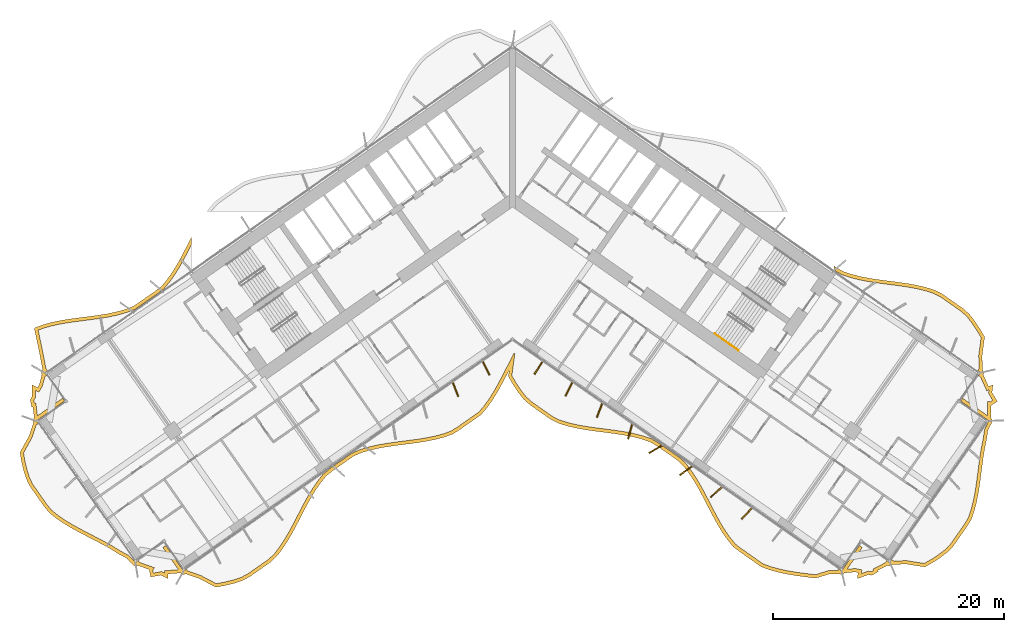
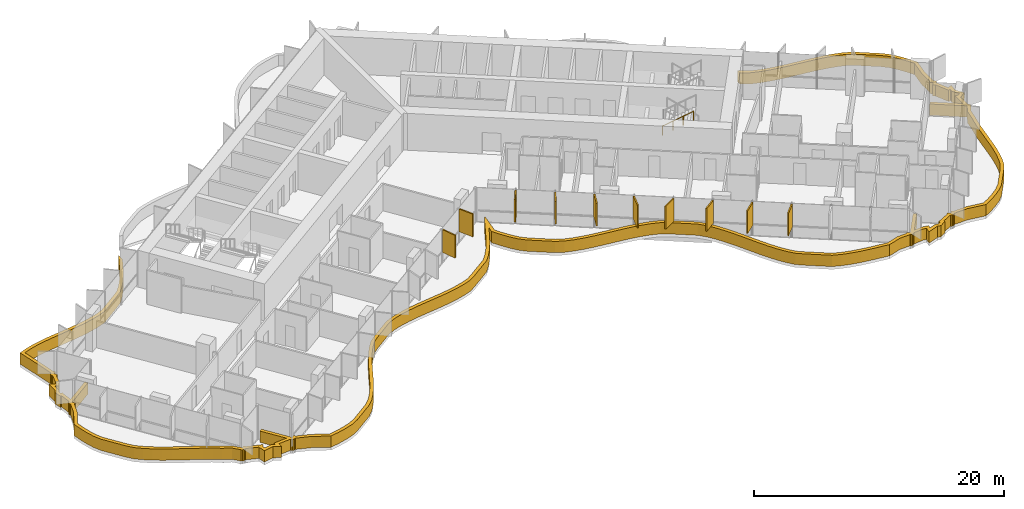
# One storey, part 20 of 23: 11 shading devices, 1 railing.
"""IFC4 building model written with IfcOpenShell, lengths in metres."""

from ifc_helpers import new_model, si_unit, direction, frame, origin, origin_2d, place, context, subcontext, project, spatial, polyline, rectangle, circle, outline, extrude, material, layer, layer_set, type_object, element, save


model = new_model("IFC4")

# Units and contexts
model_context = context("Model", 3, precision=1e-05, world=origin(), true_north=direction((0.0, 1.0)))
body_context = subcontext(model_context, "Body", "Model", "MODEL_VIEW")
ifc_project = project(units=[si_unit("LENGTHUNIT", "METRE"), si_unit("AREAUNIT", "SQUARE_METRE"), si_unit("VOLUMEUNIT", "CUBIC_METRE"), si_unit("PLANEANGLEUNIT", "RADIAN"), si_unit("MASSUNIT", "GRAM", prefix="KILO")], contexts=[model_context])

# Site, building, storey
site_placement = place(None, origin())
site = spatial("IfcSite", under=ifc_project, at=site_placement, CompositionType="ELEMENT")
building_placement = place(site_placement, origin())
building = spatial("IfcBuilding", under=site, at=building_placement, Name="Tel Ilan Convention Tower", CompositionType="ELEMENT")
storey_placement = place(building_placement, frame((0.0, 0.0, 119.300048828125)))
storey = spatial("IfcBuildingStorey", under=building, at=storey_placement, Name="L26", CompositionType="ELEMENT", Elevation=119.300048828125)

# Shading devices
ifc_material_1 = material(Name="Aluminium, bronze anodised", Category="aluminium")
ifc_layer_1 = layer(ifc_material_1, 0.1201171875)
ifc_layer_set_1 = layer_set([ifc_layer_1], Name="FIN BRONZE 1300x120")
shading_device_type_1 = type_object("IfcShadingDeviceType", Name="FIN BRONZE 1300x120", PredefinedType="USERDEFINED", material=ifc_layer_set_1)
for number, where, z_axis, x_axis, name in (
    (1, (-4.947998046875, -17.070068359375, 1.10009765625), (0.0, 0.0, 1.0), (0.360177724803, -0.932883704733, 0.0), "FIN"),
    (2, (-2.298583984375, -15.222900390625, 1.10009765625), (0.0, 0.0, 1.0), (0.448799180206, -0.893632640321, 0.0), "FIN"),
    (3, (2.2470703125, -15.18701171875, 1.10009765625), (0.0, 0.0, 1.0), (-0.533204432798, -0.845986425922, 0.0), "FIN"),
    (4, (4.893798828125, -17.039794921875, 1.10009765625), (0.0, 0.0, 1.0), (-0.448799180206, -0.893632640321, 0.0), "FIN"),
    (5, (7.543212890625, -18.88720703125, 1.10009765625), (0.0, 0.0, 1.0), (-0.360177724803, -0.932883704733, 0.0), "FIN"),
    (6, (10.19482421875, -20.728515625, 1.10009765625), (0.0, 0.0, 1.0), (-0.268172612768, -0.963370878614, 0.0), "FIN"),
    (7, (12.398193359375, -22.248779296875, 1.10009765625), (0.0, 0.0, 1.0), (-0.866025403784, -0.5, 0.0), "FIN"),
    (8, (15.0302734375, -24.114501953125, 1.10009765625), (0.0, 0.0, 1.0), (-0.813552070258, -0.581492071294, 0.0), "FIN"),
    (9, (17.667724609375, -25.9765625, 1.10009765625), (0.0, 0.0, 1.0), (-0.753435896329, -0.657521368568, 0.0), "FIN"),
    (10, (20.309814453125, -27.834228515625, 1.10009765625), (0.0, 0.0, 1.0), (-0.686241637865, -0.727373641577, 0.0), "FIN"),
):
    element("IfcShadingDevice", number, at=place(storey_placement, frame(where, z_axis=z_axis, x_axis=x_axis)), inside=storey, type_object=shading_device_type_1, Name=name, ObjectType="FIN", PredefinedType="USERDEFINED", context=body_context, shape_type="SweptSolid", body=[
        extrude(rectangle(XDim=1.300048828125, YDim=0.1201171875, at=origin_2d()), origin(), (0.0, 0.0, 1.0), 2.219970703125),
    ])
ifc_material_2 = material(Name="Aluminium, bronze anodised", Category="aluminium")
ifc_layer_2 = layer(ifc_material_2, 0.300048828125)
ifc_layer_set_2 = layer_set([ifc_layer_2], Name="LOUVRE BAND 300x1100")
shading_device_type_2 = type_object("IfcShadingDeviceType", Name="LOUVRE BAND 300x1100", PredefinedType="USERDEFINED", material=ifc_layer_set_2)
shading_device_placement = place(storey_placement, origin())
element("IfcShadingDevice", 11, at=shading_device_placement, inside=storey, type_object=shading_device_type_2, Name="LOUVRE BAND 20.01", ObjectType="LOUVRE", PredefinedType="USERDEFINED", context=body_context, shape_type="SweptSolid", body=[
    extrude(outline(polyline([(-41.95263671875, -21.091796875), (-42.734619140625, -22.51123046875), (-42.607421875, -23.294189453125), (-42.430908203125, -24.04248046875), (-42.208740234375, -24.7587890625), (-41.900146484375, -25.414794921875), (-40.671142578125, -27.170166015625), (-40.220458984375, -27.726806640625), (-39.64404296875, -28.195068359375), (-39.018310546875, -28.62890625), (-38.352294921875, -29.03466796875), (-37.656982421875, -29.419677734375), (-35.51513671875, -30.535888671875), (-34.82470703125, -30.92431640625), (-34.16357421875, -31.33349609375), (-33.458251953125, -31.711669921875), (-32.969482421875, -32.241455078125), (-32.96484375, -32.238037109375), (-32.93603515625, -32.281494140625), (-32.838623046875, -32.346435546875), (-32.723876953125, -32.369384765625), (-32.609130859375, -32.346435546875), (-32.554931640625, -32.310302734375), (-31.51708984375, -32.678955078125), (-31.52783203125, -32.69677734375), (-31.39501953125, -33.33642578125), (-30.5068359375, -33.168701171875), (-29.9072265625, -33.476806640625), (-29.906005859375, -33.06201171875), (-28.786865234375, -32.974853515625), (-28.7578125, -33.01806640625), (-28.660400390625, -33.083251953125), (-28.545654296875, -33.10595703125), (-28.430908203125, -33.083251953125), (-28.376953125, -33.047119140625), (-27.177490234375, -33.46728515625), (-25.748291015625, -34.2158203125), (-24.94677734375, -34.067626953125), (-24.174072265625, -33.878662109375), (-23.436767578125, -33.63916015625), (-22.779296875, -33.28515625), (-20.957275390625, -32.009521484375), (-20.41845703125, -31.486083984375), (-19.947509765625, -30.8662109375), (-19.5107421875, -30.197265625), (-19.1005859375, -29.490234375), (-18.708740234375, -28.75732421875), (-17.939697265625, -27.270263671875), (-17.54296875, -26.544189453125), (-17.125, -25.848388671875), (-16.677734375, -25.1943359375), (-16.19384765625, -24.5927734375), (-15.619140625, -24.12109375), (-13.797119140625, -22.84521484375), (-13.101318359375, -22.546142578125), (-12.351806640625, -22.323974609375), (-11.56884765625, -22.1494140625), (-10.760498046875, -22.01123046875), (-9.935791015625, -21.896484375), (-8.276123046875, -21.681396484375), (-7.4609375, -21.552734375), (-6.66845703125, -21.39208984375), (-5.906494140625, -21.1875), (-5.18212890625, -20.92919921875), (-4.55859375, -20.527099609375), (-2.736572265625, -19.251220703125), (-2.23828125, -18.669921875), (-1.779296875, -18.032958984375), (-1.352294921875, -17.350341796875), (-0.94921875, -16.63330078125), (-0.29345703125, -15.373291015625), (-0.367919921875, -15.928955078125), (0.045166015625, -16.631591796875), (0.487060546875, -17.29296875), (0.964599609375, -17.90380859375), (1.52197265625, -18.400634765625), (3.343994140625, -19.676513671875), (4.02001953125, -20.003662109375), (4.763427734375, -20.234375), (5.54150390625, -20.416015625), (6.34619140625, -20.559326171875), (7.1689453125, -20.67724609375), (8.829345703125, -20.89111328125), (9.647216796875, -21.015625), (10.444091796875, -21.17041015625), (11.211669921875, -21.366943359375), (11.9423828125, -21.61572265625), (12.582275390625, -21.99462890625), (14.404541015625, -23.2705078125), (14.92333984375, -23.822021484375), (15.388427734375, -24.450439453125), (15.8203125, -25.12646484375), (16.2265625, -25.8388671875), (16.61669921875, -26.574462890625), (17.38623046875, -28.060546875), (17.785888671875, -28.782470703125), (18.2080078125, -29.47216796875), (18.660888671875, -30.1181640625), (19.1513671875, -30.71044921875), (19.742431640625, -31.158935546875), (21.564697265625, -32.4345703125), (22.281005859375, -32.7041015625), (23.03662109375, -32.917724609375), (23.824462890625, -33.08544921875), (24.635986328125, -33.218994140625), (26.29443359375, -33.435546875), (27.448974609375, -33.079345703125), (28.376953125, -33.047119140625), (28.430908203125, -33.083251953125), (28.545654296875, -33.10595703125), (28.660400390625, -33.083251953125), (28.7578125, -33.01806640625), (28.786865234375, -32.974853515625), (29.716796875, -32.8935546875), (29.97412109375, -32.9453125), (29.9072265625, -33.476806640625), (30.8779296875, -33.126708984375), (31.183837890625, -33.188232421875), (31.7392578125, -32.8447265625), (31.685546875, -32.75439453125), (32.554931640625, -32.310302734375), (32.609130859375, -32.346435546875), (32.723876953125, -32.369384765625), (32.838623046875, -32.346435546875), (32.93603515625, -32.281494140625), (32.96484375, -32.238037109375), (34.16845703125, -32.208740234375), (35.769775390625, -32.4580078125), (36.4619140625, -32.07080078125), (37.104736328125, -31.64892578125), (37.701904296875, -31.195068359375), (38.212890625, -30.680908203125), (39.44189453125, -28.925537109375), (39.810791015625, -28.311767578125), (40.0537109375, -27.60986328125), (40.247314453125, -26.87353515625), (40.40087890625, -26.109130859375), (40.52490234375, -25.323974609375), (40.841064453125, -22.929443359375), (40.969970703125, -22.147705078125), (41.12841796875, -21.386474609375), (41.24267578125, -20.594482421875), (41.5732421875, -19.9541015625), (41.568603515625, -19.950927734375), (41.604736328125, -19.896728515625), (41.62744140625, -19.781982421875), (41.604736328125, -19.667236328125), (41.53955078125, -19.56982421875), (41.496337890625, -19.541015625), (41.487548828125, -18.439453125), (41.508056640625, -18.443603515625), (42.063720703125, -18.10009765625), (41.602294921875, -17.322509765625), (41.686767578125, -16.65380859375), (41.29638671875, -16.79443359375), (40.831787109375, -15.772705078125), (40.867919921875, -15.71875), (40.890869140625, -15.603759765625), (40.867919921875, -15.489013671875), (40.802978515625, -15.3916015625), (40.759521484375, -15.36279296875), (40.743408203125, -14.096435546875), (40.96044921875, -12.496826171875), (40.548828125, -11.795654296875), (40.108154296875, -11.13525390625), (39.63232421875, -10.525390625), (39.078125, -10.02783203125), (37.260498046875, -8.755126953125), (36.5888671875, -8.4248046875), (35.84814453125, -8.193115234375), (35.072998046875, -8.0107421875), (34.27099609375, -7.86669921875), (33.450927734375, -7.748779296875), (31.79443359375, -7.535400390625), (30.97802734375, -7.412109375), (30.181884765625, -7.259521484375), (29.414794921875, -7.0654296875), (28.68408203125, -6.820068359375), (28.040283203125, -6.44970703125), (27.874755859375, -6.333740234375), (27.874755859375, -6.70068359375), (28.560302734375, -7.094970703125), (29.330322265625, -7.353515625), (30.116943359375, -7.552490234375), (30.92724609375, -7.707763671875), (31.752685546875, -7.83251953125), (33.41064453125, -8.0458984375), (34.22314453125, -8.162841796875), (35.01220703125, -8.3046875), (35.76904296875, -8.482666015625), (36.477294921875, -8.7041015625), (37.107421875, -9.01416015625), (38.89111328125, -10.26318359375), (39.412109375, -10.73095703125), (39.86474609375, -11.31103515625), (40.29443359375, -11.954833984375), (40.649169921875, -12.559326171875), (40.443115234375, -14.07861328125), (40.46142578125, -15.265625), (40.344970703125, -15.431640625), (40.5908203125, -15.603759765625), (40.41943359375, -15.85009765625), (40.596923828125, -15.974365234375), (41.13720703125, -17.1708984375), (41.327880859375, -17.10205078125), (41.291748046875, -17.38720703125), (41.6552734375, -17.999755859375), (41.451171875, -18.1259765625), (41.18359375, -18.072265625), (41.197265625, -19.324462890625), (39.0419921875, -17.8154296875), (38.8701171875, -18.061279296875), (41.327392578125, -19.781982421875), (41.155517578125, -20.02783203125), (41.186279296875, -20.04931640625), (40.952880859375, -20.501708984375), (40.832763671875, -21.33447265625), (40.675048828125, -22.0927734375), (40.54443359375, -22.884521484375), (40.22802734375, -25.28076171875), (40.10546875, -26.05615234375), (39.955078125, -26.8056640625), (39.766357421875, -27.5224609375), (39.53759765625, -28.18408203125), (39.190185546875, -28.761962890625), (37.98193359375, -30.48779296875), (37.50390625, -30.96875), (36.931640625, -31.40380859375), (36.30615234375, -31.814208984375), (35.713623046875, -32.145751953125), (34.1875, -31.908203125), (33.060546875, -31.938720703125), (32.89599609375, -31.823486328125), (32.723876953125, -32.0693359375), (32.4775390625, -31.89794921875), (32.34912109375, -32.08154296875), (31.26416015625, -32.6318359375), (31.3310546875, -32.74462890625), (31.126708984375, -32.870849609375), (30.854736328125, -32.816162109375), (30.26611328125, -33.028564453125), (30.306884765625, -32.7060546875), (29.73291015625, -32.5908203125), (29.016845703125, -32.65625), (30.340087890625, -30.766357421875), (30.09423828125, -30.59423828125), (28.545654296875, -32.805908203125), (28.2998046875, -32.634033203125), (28.214111328125, -32.75634765625), (27.3994140625, -32.78076171875), (26.267822265625, -33.1298828125), (24.6806640625, -32.922119140625), (23.8798828125, -32.79052734375), (23.10888671875, -32.626220703125), (22.374755859375, -32.4189453125), (21.70556640625, -32.167236328125), (19.919189453125, -30.91650390625), (19.3603515625, -30.492431640625), (18.899658203125, -29.936279296875), (18.459228515625, -29.3076171875), (18.04541015625, -28.63134765625), (17.650634765625, -27.91845703125), (16.882568359375, -26.435791015625), (16.489501953125, -25.694091796875), (16.0771484375, -24.97119140625), (15.6357421875, -24.2802734375), (15.154052734375, -23.629150390625), (14.601806640625, -23.04248046875), (12.7451171875, -21.742431640625), (12.068603515625, -21.341796875), (11.29736328125, -21.0791015625), (10.510009765625, -20.87744140625), (9.698486328125, -20.719970703125), (8.871337890625, -20.593994140625), (7.209228515625, -20.3798828125), (6.393798828125, -20.26318359375), (5.60205078125, -20.1220703125), (4.84228515625, -19.94482421875), (4.13037109375, -19.723876953125), (3.496337890625, -19.4169921875), (1.70849609375, -18.1650390625), (1.184326171875, -17.697998046875), (0.73046875, -17.1171875), (0.299560546875, -16.471923828125), (-0.056884765625, -15.8662109375), (0.199462890625, -13.955810546875), (0.11083984375, -13.927978515625), (-0.8271484375, -15.756591796875), (-1.212890625, -16.489990234375), (-1.6103515625, -17.197265625), (-2.0283203125, -17.86572265625), (-2.474365234375, -18.484375), (-2.939697265625, -19.027099609375), (-4.72607421875, -20.278076171875), (-5.315673828125, -20.658203125), (-5.995849609375, -20.90087890625), (-6.737060546875, -21.099853515625), (-7.51416015625, -21.25732421875), (-8.319091796875, -21.384521484375), (-9.97509765625, -21.59912109375), (-10.806396484375, -21.71484375), (-11.626708984375, -21.85498046875), (-12.427001953125, -22.033447265625), (-13.20361328125, -22.263427734375), (-13.94384765625, -22.581787109375), (-15.800537109375, -23.8818359375), (-16.408203125, -24.380615234375), (-16.9189453125, -25.015380859375), (-17.377685546875, -25.686279296875), (-17.80322265625, -26.39501953125), (-18.20458984375, -27.129150390625), (-18.974365234375, -28.617919921875), (-19.36279296875, -29.34423828125), (-19.76611328125, -30.0400390625), (-20.192626953125, -30.693359375), (-20.643798828125, -31.28662109375), (-21.14892578125, -31.777587890625), (-22.93701171875, -33.029296875), (-23.55517578125, -33.362060546875), (-24.256103515625, -33.590087890625), (-25.009765625, -33.7744140625), (-25.700927734375, -33.90185546875), (-27.057861328125, -33.19140625), (-28.18359375, -32.80029296875), (-28.2998046875, -32.634033203125), (-28.545654296875, -32.805908203125), (-30.09423828125, -30.59423828125), (-30.340087890625, -30.766357421875), (-28.991455078125, -32.6923828125), (-30.205078125, -32.78369140625), (-30.20556640625, -32.986083984375), (-30.461181640625, -32.85498046875), (-31.161376953125, -32.98681640625), (-31.2099609375, -32.751708984375), (-31.068115234375, -32.518798828125), (-32.361328125, -32.06396484375), (-32.4775390625, -31.89794921875), (-32.723876953125, -32.0693359375), (-32.89599609375, -31.823486328125), (-32.927001953125, -31.84521484375), (-33.27197265625, -31.47119140625), (-34.013427734375, -31.073486328125), (-34.672119140625, -30.666015625), (-35.37158203125, -30.272216796875), (-37.514892578125, -29.155517578125), (-38.20166015625, -28.775146484375), (-38.8544921875, -28.377197265625), (-39.463623046875, -27.954833984375), (-40.007080078125, -27.513671875), (-40.431396484375, -26.989501953125), (-41.6396484375, -25.263916015625), (-41.92822265625, -24.650146484375), (-42.141357421875, -23.963623046875), (-42.31298828125, -23.235595703125), (-42.421875, -22.565185546875), (-41.6767578125, -21.212646484375), (-41.320068359375, -20.14306640625), (-41.155517578125, -20.02783203125), (-41.327392578125, -19.781982421875), (-38.8701171875, -18.061279296875), (-39.0419921875, -17.8154296875), (-41.220947265625, -19.34130859375), (-41.356689453125, -18.2177734375), (-41.485595703125, -18.2421875), (-41.534423828125, -18.007080078125), (-41.39013671875, -17.770263671875), (-41.38818359375, -17.14453125), (-41.09912109375, -17.29296875), (-40.794677734375, -16.793212890625), (-40.574462890625, -15.958740234375), (-40.41943359375, -15.85009765625), (-40.5908203125, -15.603759765625), (-40.344970703125, -15.431640625), (-40.48046875, -15.238037109375), (-40.81787109375, -13.5107421875), (-41.15283203125, -11.91748046875), (-40.691162109375, -11.74365234375), (-39.958740234375, -11.537353515625), (-39.189208984375, -11.373779296875), (-38.390625, -11.24267578125), (-35.911865234375, -10.914306640625), (-35.091064453125, -10.780029296875), (-34.288330078125, -10.610107421875), (-33.512451171875, -10.392333984375), (-32.749267578125, -10.1083984375), (-30.893798828125, -8.81396484375), (-30.2685546875, -8.34814453125), (-29.747314453125, -7.72314453125), (-29.28173828125, -7.063232421875), (-28.85107421875, -6.363037109375), (-28.4462890625, -5.63525390625), (-27.874755859375, -4.5361328125), (-27.874755859375, -3.88330078125), (-28.71044921875, -5.49267578125), (-29.10986328125, -6.211669921875), (-29.5322265625, -6.89794921875), (-29.9853515625, -7.540283203125), (-30.47607421875, -8.128662109375), (-31.069580078125, -8.57080078125), (-32.88916015625, -9.84033203125), (-33.60546875, -10.10693359375), (-34.360107421875, -10.318603515625), (-35.146240234375, -10.485107421875), (-35.956298828125, -10.61767578125), (-38.43505859375, -10.946044921875), (-39.244873046875, -11.078857421875), (-40.03076171875, -11.245849609375), (-40.784912109375, -11.45849609375), (-41.499267578125, -11.727294921875), (-41.11181640625, -13.5703125), (-40.759521484375, -15.36279296875), (-40.802978515625, -15.3916015625), (-40.867919921875, -15.489013671875), (-40.890869140625, -15.603759765625), (-40.867919921875, -15.71875), (-40.831787109375, -15.772705078125), (-41.073486328125, -16.67431640625), (-41.210205078125, -16.898681640625), (-41.686767578125, -16.65380859375), (-41.68994140625, -17.685546875), (-41.852294921875, -17.9521484375), (-41.719482421875, -18.591552734375), (-41.6162109375, -18.572021484375), (-41.496337890625, -19.541015625), (-41.53955078125, -19.56982421875), (-41.604736328125, -19.667236328125), (-41.62744140625, -19.781982421875), (-41.604736328125, -19.896728515625), (-41.568603515625, -19.950927734375), (-41.95263671875, -21.091796875)])), origin(), (0.0, 0.0, 1.0), 1.099853515625),
])

# Railing
ifc_material_3 = material(Name="Stainless Steel Grade 316", Category="steel")
railing_type = type_object("IfcRailingType", Name="Stainless Steel Stair Handrail 900 mm", PredefinedType="HANDRAIL", material=ifc_material_3)
railing_placement = place(storey_placement, frame((17.542236328125, -12.22216796875, 1.97998046875)))
element("IfcRailing", 12, at=railing_placement, inside=storey, type_object=railing_type, Name="L26 S4 stair handrail 2", PredefinedType="HANDRAIL", context=body_context, shape_type="SweptSolid", body=[
    extrude(circle(Radius=0.02392578125, at=origin_2d()), frame((0.0, 0.0, 0.8759765625), z_axis=(0.68907047291, -0.482471578903, 0.540743061828), x_axis=(0.573559875649, 0.819163639968, 0.0)), (0.0, 0.0, 1.0), 2.99560546875),
    extrude(circle(Radius=0.02099609375, at=origin_2d()), origin(), (0.0, 0.0, 1.0), 0.851806640625),
    extrude(circle(Radius=0.02099609375, at=origin_2d()), frame((0.68798828125, -0.481689453125, 0.5400390625)), (0.0, 0.0, 1.0), 0.851806640625),
    extrude(circle(Radius=0.02099609375, at=origin_2d()), frame((1.376220703125, -0.963623046875, 1.079833984375)), (0.0, 0.0, 1.0), 0.851806640625),
    extrude(circle(Radius=0.02099609375, at=origin_2d()), frame((2.064208984375, -1.4453125, 1.619873046875)), (0.0, 0.0, 1.0), 0.851806640625),
])

save(model, "model.ifc")
